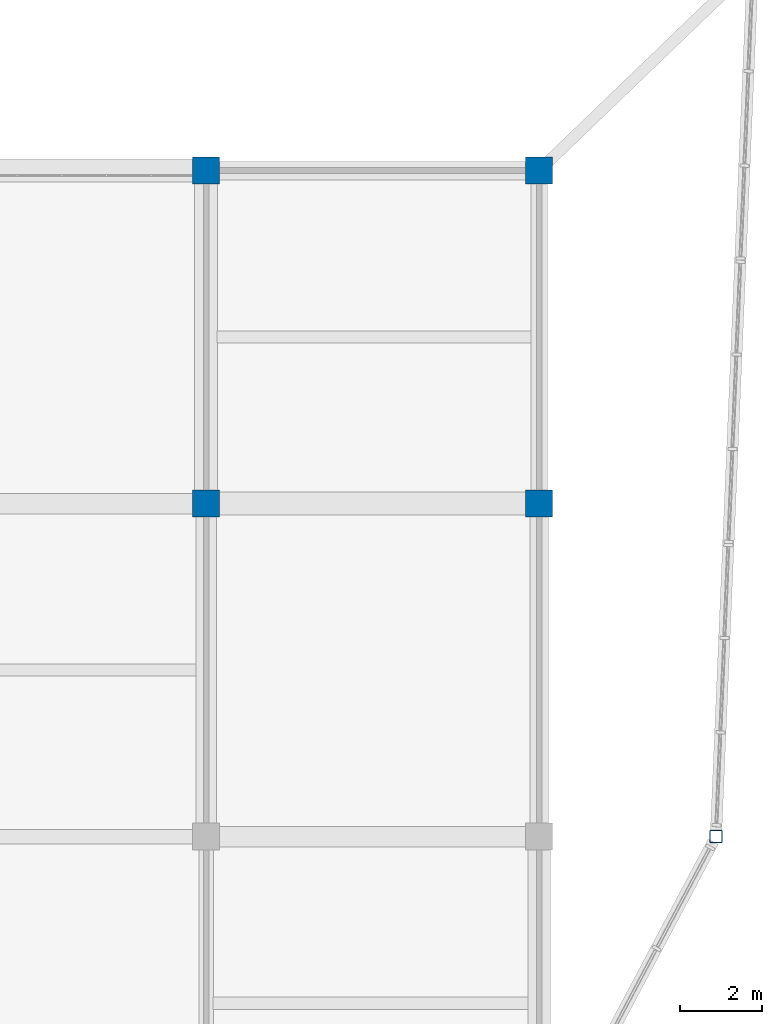
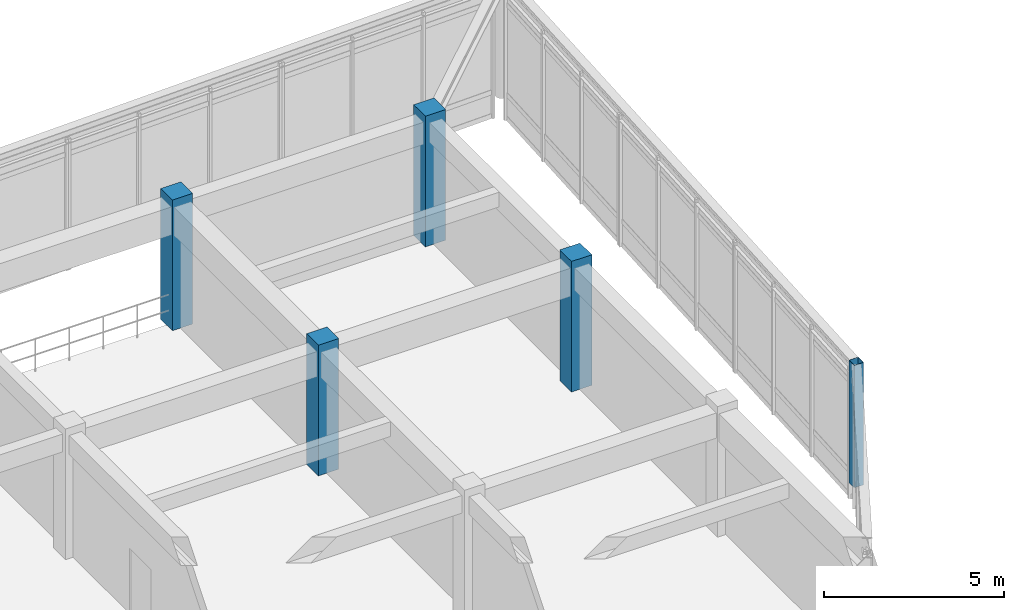
# One storey, part 5 of 42: 5 columns.
"""IFC4 building model written with IfcOpenShell, lengths in metres."""

from ifc_helpers import new_model, si_unit, direction, frame, origin, origin_2d, place, context, subcontext, project, spatial, rectangle, hollow_rectangle, extrude, material, material_profile, profile_set, type_object, element, save


model = new_model("IFC4")

# Units and contexts
model_context = context("Model", 3, precision=1e-05, world=origin(), true_north=direction((0.0, 1.0)))
body_context = subcontext(model_context, "Body", "Model", "MODEL_VIEW")
ifc_project = project(units=[si_unit("LENGTHUNIT", "METRE"), si_unit("AREAUNIT", "SQUARE_METRE"), si_unit("VOLUMEUNIT", "CUBIC_METRE"), si_unit("PLANEANGLEUNIT", "RADIAN"), si_unit("MASSUNIT", "GRAM", prefix="KILO")], contexts=[model_context])

# Site, building, storey
site_placement = place(None, origin())
site = spatial("IfcSite", under=ifc_project, at=site_placement, CompositionType="ELEMENT")
building_placement = place(site_placement, origin())
building = spatial("IfcBuilding", under=site, at=building_placement, Name="Vaudrelin Polytechnic", CompositionType="ELEMENT")
storey_placement = place(building_placement, frame((0.0, 0.0, 18.530029296875)))
storey = spatial("IfcBuildingStorey", under=building, at=storey_placement, Name="L04", CompositionType="ELEMENT", Elevation=18.530029296875)

# Columns
ifc_material_1 = material(Name="Steel CSA G40.21 350WT", Category="steel")
ifc_material_profile_1 = material_profile(ifc_material_1, hollow_rectangle(XDim=0.304931640625, YDim=0.304931640625, WallThickness=0.0126953125, InnerFilletRadius=0.0126953125, OuterFilletRadius=0.025390625, at=origin_2d()), Name="HSS305x305x12.7")
ifc_profile_set_1 = profile_set([ifc_material_profile_1], Name="Steel CSA G40.21 350WT")
column_type_1 = type_object("IfcColumnType", Name="COL-C-HSS305", PredefinedType="COLUMN", material=ifc_profile_set_1)
column_placement = place(storey_placement, frame((174.39990234375, 105.300048828125, 0.0), z_axis=(0.0, 0.0, 1.0), x_axis=(1.0, 0.0, 0.0)))
element("IfcColumn", 1, at=column_placement, inside=storey, type_object=column_type_1, Name="Deconstructivist column L04 NE_E", PredefinedType="COLUMN", context=body_context, shape_type="SweptSolid", body=[
    extrude(hollow_rectangle(XDim=0.304931640625, YDim=0.304931640625, WallThickness=0.0126953125, InnerFilletRadius=0.0126953125, OuterFilletRadius=0.025390625, at=origin_2d()), origin(), (0.0, 0.0, 1.0), 4.139892578125),
])
ifc_material_2 = material(Name="Concrete 40 MPa", Category="concrete")
ifc_material_profile_2 = material_profile(ifc_material_2, rectangle(XDim=0.64990234375, YDim=0.64990234375, at=origin_2d()), Name="RC650x650")
ifc_profile_set_2 = profile_set([ifc_material_profile_2], Name="Concrete 40 MPa")
column_type_2 = type_object("IfcColumnType", Name="COL-C-RC650", PredefinedType="COLUMN", material=ifc_profile_set_2)
for number, where, z_axis, x_axis, name in (
    (2, (162.0, 113.39990234375, 0.0), (0.0, 0.0, 1.0), (1.0, 0.0, 0.0), "Column L04 21-15"),
    (3, (162.0, 121.5, 0.0), (0.0, 0.0, 1.0), (1.0, 0.0, 0.0), "Column L04 21-16"),
    (4, (170.10009765625, 113.39990234375, 0.0), (0.0, 0.0, 1.0), (1.0, 0.0, 0.0), "Column L04 22-15"),
    (5, (170.10009765625, 121.5, 0.0), (0.0, 0.0, 1.0), (1.0, 0.0, 0.0), "Column L04 22-16"),
):
    element("IfcColumn", number, at=place(storey_placement, frame(where, z_axis=z_axis, x_axis=x_axis)), inside=storey, type_object=column_type_2, Name=name, PredefinedType="COLUMN", context=body_context, shape_type="SweptSolid", body=[
        extrude(rectangle(XDim=0.64990234375, YDim=0.64990234375, at=origin_2d()), origin(), (0.0, 0.0, 1.0), 4.419921875),
    ])

save(model, "model.ifc")
